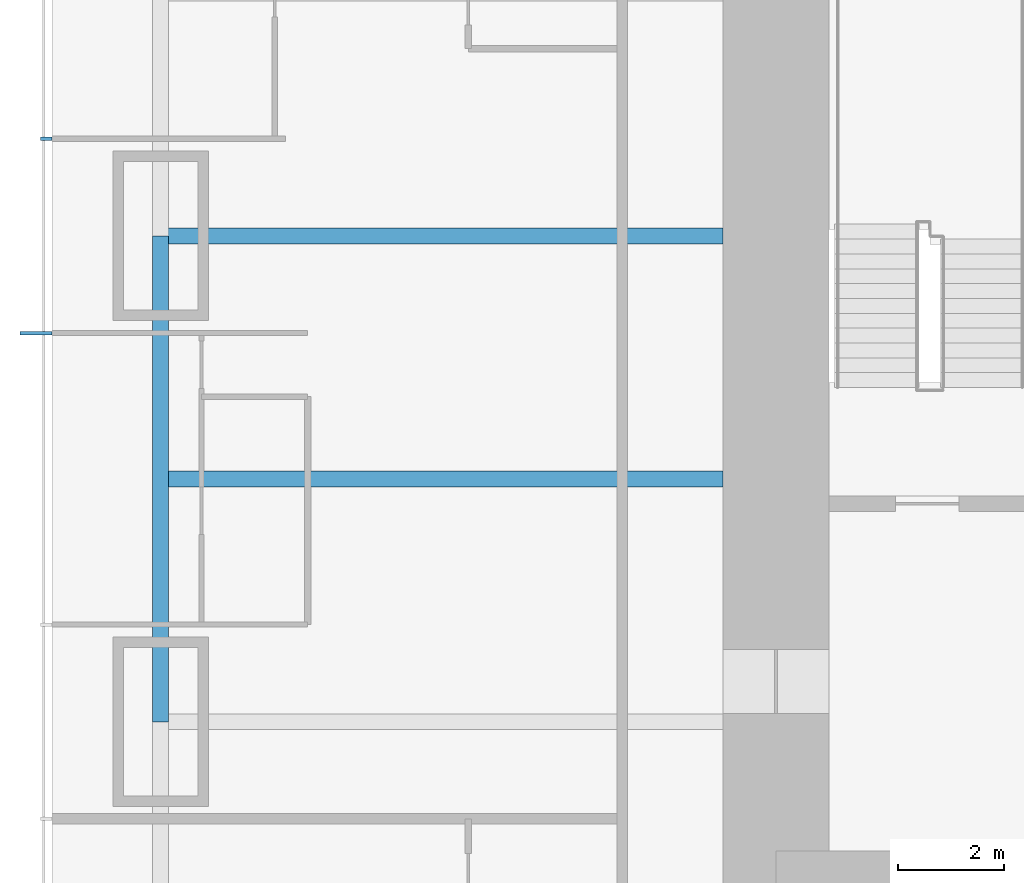
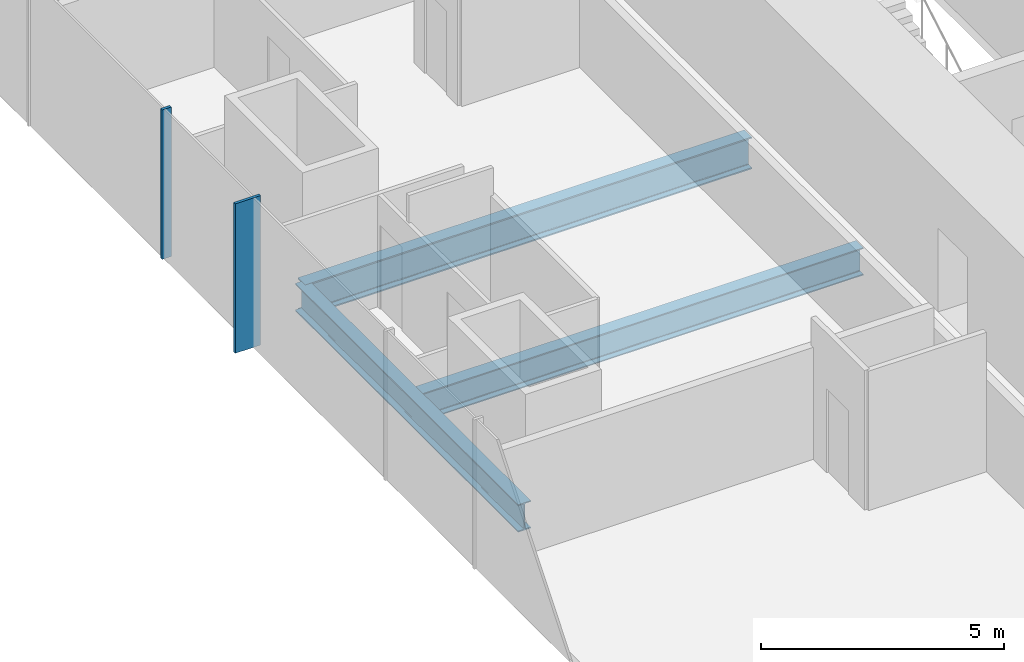
# One storey, part 3 of 13: 3 beams, 2 members, 1 element without a shape of its own.
"""IFC4 building model written with IfcOpenShell, lengths in metres."""

from ifc_helpers import new_model, si_unit, direction, frame, origin, origin_2d, place, context, subcontext, project, spatial, rectangle, i_section, extrude, material, material_profile, profile_set, type_object, element, aggregate, save


model = new_model("IFC4")

# Units and contexts
model_context = context("Model", 3, precision=1e-05, world=origin(), true_north=direction((0.0, 1.0)))
body_context = subcontext(model_context, "Body", "Model", "MODEL_VIEW")
ifc_project = project(units=[si_unit("LENGTHUNIT", "METRE"), si_unit("AREAUNIT", "SQUARE_METRE"), si_unit("VOLUMEUNIT", "CUBIC_METRE"), si_unit("PLANEANGLEUNIT", "RADIAN"), si_unit("MASSUNIT", "GRAM", prefix="KILO")], contexts=[model_context])

# Site, building, storey
site_placement = place(None, origin())
site = spatial("IfcSite", under=ifc_project, at=site_placement, CompositionType="ELEMENT")
building_placement = place(site_placement, origin())
building = spatial("IfcBuilding", under=site, at=building_placement, Name="Khuree Lantern Residences", CompositionType="ELEMENT")
storey_placement = place(building_placement, frame((0.0, 0.0, 118.5)))
storey = spatial("IfcBuildingStorey", under=building, at=storey_placement, Name="L29", CompositionType="ELEMENT", Elevation=118.5)

# Beams
ifc_material_1 = material(Name="Steel S355", Category="steel")
ifc_material_profile_1 = material_profile(ifc_material_1, i_section(OverallWidth=0.300048828125, OverallDepth=0.68994140625, WebThickness=0.014404296875, FlangeThickness=0.027099609375, FilletRadius=0.027099609375, at=origin_2d()), Name="HE 700 A")
ifc_profile_set_1 = profile_set([ifc_material_profile_1], Name="Steel S355")
beam_type_1 = type_object("IfcBeamType", Name="B-21A SECONDARY BEAM HE 700 A", PredefinedType="BEAM", material=ifc_profile_set_1)
beam_1_placement = place(storey_placement, frame((-27.10009765625, -4.580078125, -0.594970703125), z_axis=(1.0, 0.0, 0.0), x_axis=(0.0, 1.0, 0.0)))
element("IfcBeam", 1, at=beam_1_placement, inside=storey, type_object=beam_type_1, Name="Secondary beam W3", PredefinedType="BEAM", context=body_context, shape_type="SweptSolid", body=[
    extrude(i_section(OverallWidth=0.300048828125, OverallDepth=0.68994140625, WebThickness=0.014404296875, FlangeThickness=0.027099609375, FilletRadius=0.027099609375, at=origin_2d()), origin(), (0.0, 0.0, 1.0), 10.60009765625),
])
ifc_material_profile_2 = material_profile(ifc_material_1, i_section(OverallWidth=0.300048828125, OverallDepth=0.68994140625, WebThickness=0.014404296875, FlangeThickness=0.027099609375, FilletRadius=0.027099609375, at=origin_2d()), Name="HE 700 A")
ifc_profile_set_2 = profile_set([ifc_material_profile_2], Name="Steel S355")
beam_type_2 = type_object("IfcBeamType", Name="E-21 SPANDREL BEAM HE 700 A", PredefinedType="SPANDREL", material=ifc_profile_set_2)
beam_2_placement = place(storey_placement, frame((-27.10009765625, -9.159912109375, -0.594970703125), z_axis=(0.0, 1.0, 0.0), x_axis=(-1.0, 0.0, 0.0)))
element("IfcBeam", 2, at=beam_2_placement, inside=storey, type_object=beam_type_2, Name="Spandrel beam W3", PredefinedType="SPANDREL", context=body_context, shape_type="SweptSolid", body=[
    extrude(i_section(OverallWidth=0.300048828125, OverallDepth=0.68994140625, WebThickness=0.014404296875, FlangeThickness=0.027099609375, FilletRadius=0.027099609375, at=origin_2d()), origin(), (0.0, 0.0, 1.0), 9.159912109375),
])

# Curtain wall, member
ifc_material_2 = material(Name="Bronze anodised aluminium", Category="aluminium")
curtain_wall_type = type_object("IfcCurtainWallType", Name="CW-T1 TOWER FACE CURTAIN WALL", PredefinedType="USERDEFINED", material=ifc_material_2)
curtain_wall_placement = place(storey_placement, origin())
curtain_wall = element("IfcCurtainWall", 3, at=curtain_wall_placement, inside=storey, type_object=curtain_wall_type, Name="L29 WEST FACE CURTAIN WALL", ObjectType="Stick-built curtain wall", PredefinedType="USERDEFINED")
ifc_material_profile_3 = material_profile(ifc_material_2, rectangle(XDim=0.06494140625, YDim=0.60009765625, at=origin_2d()), Name="F1 65X600")
ifc_profile_set_3 = profile_set([ifc_material_profile_3], Name="Bronze anodised aluminium")
member_type_1 = type_object("IfcMemberType", Name="F1 BRONZE FIN MULLION TOWER 65X600", PredefinedType="MULLION", material=ifc_profile_set_3)
member_1_placement = place(storey_placement, frame((-29.449951171875, -1.83203125, 0.0), z_axis=(0.0, 0.0, 1.0), x_axis=(0.0, -1.0, 0.0)))
member_1 = element("IfcMember", 4, at=member_1_placement, type_object=member_type_1, Name="L29 WEST FACE FIN MULLION 38", PredefinedType="MULLION", context=body_context, shape_type="SweptSolid", body=[
    extrude(rectangle(XDim=0.06494140625, YDim=0.60009765625, at=origin_2d()), origin(), (0.0, 0.0, 1.0), 3.75),
])

# Beam
ifc_material_profile_4 = material_profile(ifc_material_1, i_section(OverallWidth=0.300048828125, OverallDepth=0.800048828125, WebThickness=0.017578125, FlangeThickness=0.032958984375, FilletRadius=0.030029296875, at=origin_2d()), Name="HE 800 B")
ifc_profile_set_4 = profile_set([ifc_material_profile_4], Name="Steel S355")
beam_type_3 = type_object("IfcBeamType", Name="G-21 GIRDER HE 800 B", PredefinedType="BEAM", material=ifc_profile_set_4)
beam_3_placement = place(storey_placement, frame((-27.10009765625, 0.0, -0.64990234375), z_axis=(1.0, 0.0, 0.0), x_axis=(0.0, 1.0, 0.0)))
element("IfcBeam", 5, at=beam_3_placement, inside=storey, type_object=beam_type_3, Name="Girder W3", PredefinedType="BEAM", context=body_context, shape_type="SweptSolid", body=[
    extrude(i_section(OverallWidth=0.300048828125, OverallDepth=0.800048828125, WebThickness=0.017578125, FlangeThickness=0.032958984375, FilletRadius=0.030029296875, at=origin_2d()), origin(), (0.0, 0.0, 1.0), 10.60009765625),
])

# Member
ifc_material_profile_5 = material_profile(ifc_material_2, rectangle(XDim=0.06494140625, YDim=0.219970703125, at=origin_2d()), Name="M1 65X220")
ifc_profile_set_5 = profile_set([ifc_material_profile_5], Name="Bronze anodised aluminium")
member_type_2 = type_object("IfcMemberType", Name="M1 BRONZE MULLION TOWER 65X220", PredefinedType="MULLION", material=ifc_profile_set_5)
member_2_placement = place(storey_placement, frame((-29.260009765625, 1.83203125, 0.0), z_axis=(0.0, 0.0, 1.0), x_axis=(0.0, -1.0, 0.0)))
member_2 = element("IfcMember", 6, at=member_2_placement, type_object=member_type_2, Name="L29 WEST FACE MULLION 37", PredefinedType="MULLION", context=body_context, shape_type="SweptSolid", body=[
    extrude(rectangle(XDim=0.06494140625, YDim=0.219970703125, at=origin_2d()), origin(), (0.0, 0.0, 1.0), 3.75),
])

aggregate(curtain_wall, [member_2, member_1])

save(model, "model.ifc")
